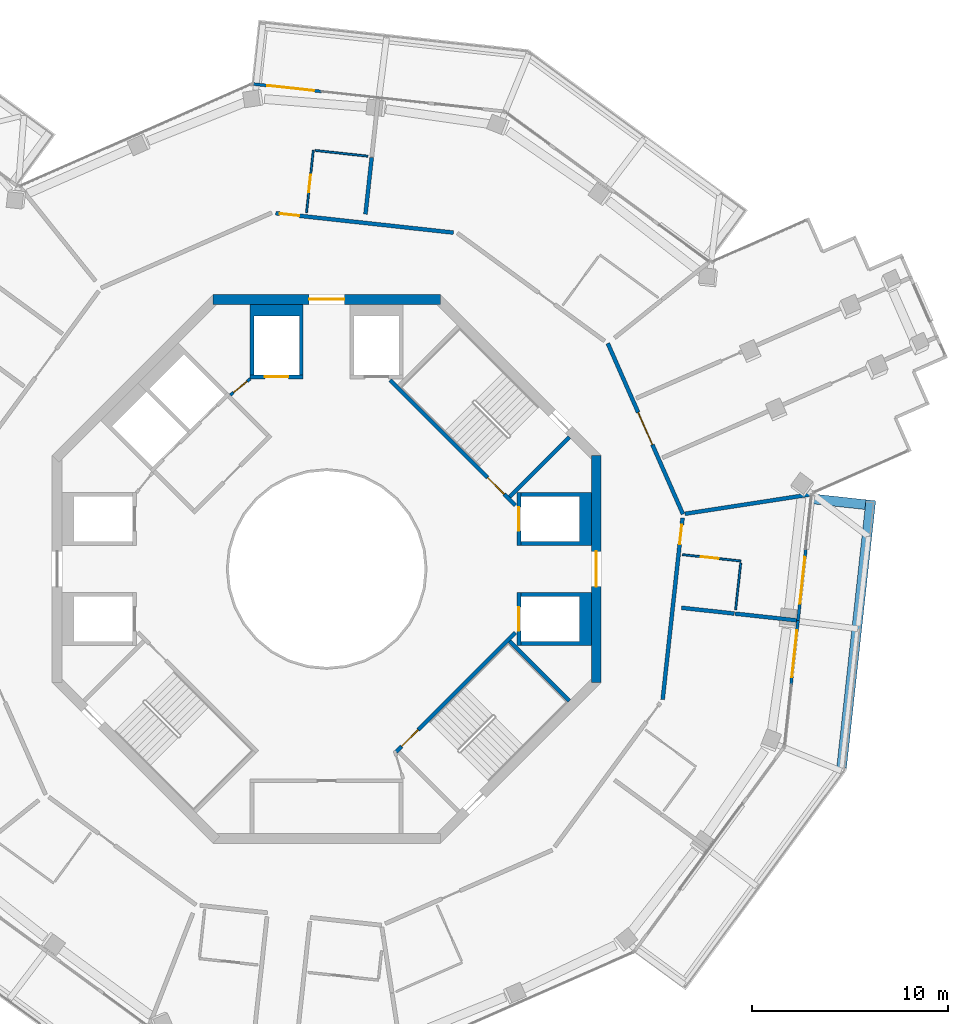
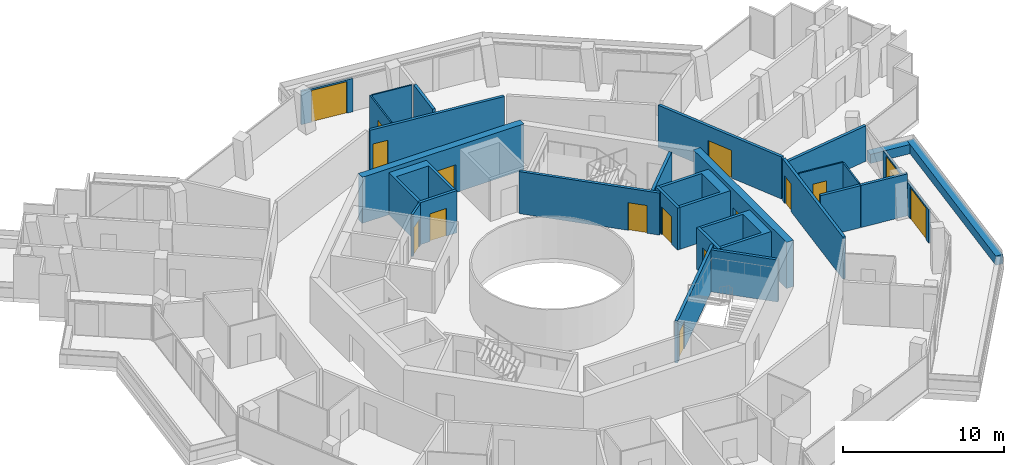
# One storey, part 18 of 22: 29 walls, 16 doors, 16 openings.
"""IFC4 building model written with IfcOpenShell, lengths in metres."""

from ifc_helpers import new_model, si_unit, direction, frame, frame_2d, origin, place, context, subcontext, project, spatial, polyline, rectangle, outline, extrude, material, layer, layer_set, type_object, element, fill, save


model = new_model("IFC4")

# Units and contexts
model_context = context("Model", 3, precision=1e-05, world=origin(), true_north=direction((0.0, 1.0)))
body_context = subcontext(model_context, "Body", "Model", "MODEL_VIEW")
ifc_project = project(units=[si_unit("LENGTHUNIT", "METRE"), si_unit("AREAUNIT", "SQUARE_METRE"), si_unit("VOLUMEUNIT", "CUBIC_METRE"), si_unit("PLANEANGLEUNIT", "RADIAN"), si_unit("MASSUNIT", "GRAM", prefix="KILO")], contexts=[model_context])

# Site, building, storey
site_placement = place(None, origin())
site = spatial("IfcSite", under=ifc_project, at=site_placement, CompositionType="ELEMENT")
building_placement = place(site_placement, origin())
building = spatial("IfcBuilding", under=site, at=building_placement, Name="Verdalira Terraces Hotel", CompositionType="ELEMENT")
storey_placement = place(building_placement, frame((0.0, 0.0, 252.5)))
storey = spatial("IfcBuildingStorey", under=building, at=storey_placement, Name="L62", CompositionType="ELEMENT", Elevation=252.5)

# Walls
ifc_material_1 = material(Name="Concrete C40", Category="concrete")
ifc_layer_1 = layer(ifc_material_1, 0.5)
ifc_layer_set_1 = layer_set([ifc_layer_1], Name="Balcony planter trough with tree")
wall_type_1 = type_object("IfcWallType", Name="Balcony planter trough with tree", PredefinedType="SOLIDWALL", material=ifc_layer_set_1)
wall_1_placement = place(storey_placement, frame((26.261963, -10.137939, 0.0), z_axis=(0.0, 0.0, 1.0), x_axis=(0.108697475, 0.994074876, 0.0)))
element("IfcWall", 1, at=wall_1_placement, inside=storey, type_object=wall_type_1, Name="Balcony planter", PredefinedType="SOLIDWALL", context=body_context, shape_type="SweptSolid", body=[
    extrude(rectangle(XDim=13.723389, YDim=0.5, at=frame_2d((6.861816, 0.0))), origin(), (0.0, 0.0, 1.0), 0.699951),
])
wall_2_placement = place(storey_placement, frame((27.478027, 3.282715, 0.0), z_axis=(0.0, 0.0, 1.0), x_axis=(-0.994071997, 0.108723798, 0.0)))
element("IfcWall", 2, at=wall_2_placement, inside=storey, type_object=wall_type_1, Name="Balcony planter", PredefinedType="SOLIDWALL", context=body_context, shape_type="SweptSolid", body=[
    extrude(rectangle(XDim=2.699219, YDim=0.5, at=frame_2d((1.349609, 0.0))), origin(), (0.0, 0.0, 1.0), 0.699951),
])

# Wall, opening, door
ifc_material_2 = material(Name="Moisture-resistant gypsum board partition")
ifc_layer_2 = layer(ifc_material_2, 0.10009765625)
ifc_layer_set_2 = layer_set([ifc_layer_2], Name="Bathroom partition 100 mm")
wall_type_2 = type_object("IfcWallType", Name="Bathroom partition 100 mm", PredefinedType="PARTITIONING", material=ifc_layer_set_2)
wall_3_placement = place(storey_placement, frame((-0.682617, 21.359131, 0.0), z_axis=(0.0, 0.0, 1.0), x_axis=(-0.108639421, -0.994081222, 0.0)))
wall_3 = element("IfcWall", 3, at=wall_3_placement, inside=storey, type_object=wall_type_2, Name="Bathroom partition", PredefinedType="PARTITIONING", context=body_context, shape_type="SweptSolid", body=[
    extrude(rectangle(XDim=3.200195, YDim=0.100098, at=frame_2d((1.600098, 0.0))), origin(), (0.0, 0.0, 1.0), 3.189941),
])
opening_1_placement = place(wall_3_placement, frame((1.25, 0.0, 0.0)))
opening_1 = element("IfcOpeningElement", 4, at=opening_1_placement, cuts=wall_3, Name="Opening L62-126", PredefinedType="OPENING", context=body_context, shape_type="SweptSolid", body=[
    extrude(rectangle(XDim=0.899902, YDim=2.100098, at=frame_2d((0.449951, 1.050049))), frame((0.0, 0.060059, 0.0), z_axis=(0.0, -1.0, 0.0), x_axis=(1.0, 0.0, 0.0)), (0.0, 0.0, 1.0), 0.120117),
])
ifc_material_3 = material(Name="Timber door", Category="wood")
door_type_1 = type_object("IfcDoorType", Name="Bathroom door 900 x 2100", OperationType="NOTDEFINED", PredefinedType="DOOR", material=ifc_material_3)
door_1_placement = place(opening_1_placement, origin())
door_1 = element("IfcDoor", 5, at=door_1_placement, inside=storey, type_object=door_type_1, Name="Bathroom door 6212", OperationType="SINGLE_SWING_LEFT", OverallHeight=2.10009765625, OverallWidth=0.89990234375, PredefinedType="DOOR", context=body_context, shape_type="SweptSolid", body=[
    extrude(rectangle(XDim=0.899902, YDim=2.100098, at=frame_2d((0.449951, 1.050049))), frame((0.0, 0.024902, 0.0), z_axis=(0.0, -1.0, 0.0), x_axis=(1.0, 0.0, 0.0)), (0.0, 0.0, 1.0), 0.050049),
])
fill(opening_1, door_1)

# Wall
wall_4_placement = place(storey_placement, frame((-0.583008, 21.348145, 0.0), z_axis=(0.0, 0.0, 1.0), x_axis=(0.994076272, -0.108684708, 0.0)))
element("IfcWall", 6, at=wall_4_placement, inside=storey, type_object=wall_type_2, Name="Bathroom partition", PredefinedType="PARTITIONING", context=body_context, shape_type="SweptSolid", body=[
    extrude(rectangle(XDim=2.700195, YDim=0.100098, at=frame_2d((1.350098, 0.0))), origin(), (0.0, 0.0, 1.0), 3.189941),
])

# Wall, opening, door
wall_5_placement = place(storey_placement, frame((21.127686, 0.406006, 0.0), z_axis=(0.0, 0.0, 1.0), x_axis=(-0.994071829, 0.108725335, 0.0)))
wall_5 = element("IfcWall", 7, at=wall_5_placement, inside=storey, type_object=wall_type_2, Name="Bathroom partition", PredefinedType="PARTITIONING", context=body_context, shape_type="SweptSolid", body=[
    extrude(rectangle(XDim=3.0, YDim=0.100098, at=frame_2d((1.5, 0.0))), origin(), (0.0, 0.0, 1.0), 3.189941),
])
opening_2_placement = place(wall_5_placement, frame((1.149902, 0.0, 0.0)))
opening_2 = element("IfcOpeningElement", 8, at=opening_2_placement, cuts=wall_5, Name="Opening L62-119", PredefinedType="OPENING", context=body_context, shape_type="SweptSolid", body=[
    extrude(rectangle(XDim=0.899902, YDim=2.100098, at=frame_2d((0.449951, 1.050049))), frame((0.0, 0.060059, 0.0), z_axis=(0.0, -1.0, 0.0), x_axis=(1.0, 0.0, 0.0)), (0.0, 0.0, 1.0), 0.120117),
])
door_2_placement = place(opening_2_placement, origin())
door_2 = element("IfcDoor", 9, at=door_2_placement, inside=storey, type_object=door_type_1, Name="Bathroom door 6209", OperationType="SINGLE_SWING_LEFT", OverallHeight=2.10009765625, OverallWidth=0.89990234375, PredefinedType="DOOR", context=body_context, shape_type="SweptSolid", body=[
    extrude(rectangle(XDim=0.899902, YDim=2.100098, at=frame_2d((0.449951, 1.050049))), frame((0.0, 0.024902, 0.0), z_axis=(0.0, -1.0, 0.0), x_axis=(1.0, 0.0, 0.0)), (0.0, 0.0, 1.0), 0.050049),
])
fill(opening_2, door_2)

# Walls
wall_6_placement = place(storey_placement, frame((21.116699, 0.306641, 0.0), z_axis=(0.0, 0.0, 1.0), x_axis=(-0.108644914, -0.994080622, 0.0)))
element("IfcWall", 10, at=wall_6_placement, inside=storey, type_object=wall_type_2, Name="Bathroom partition", PredefinedType="PARTITIONING", context=body_context, shape_type="SweptSolid", body=[
    extrude(rectangle(XDim=2.399902, YDim=0.100098, at=frame_2d((1.199951, 0.0))), origin(), (0.0, 0.0, 1.0), 3.189941),
])
ifc_material_4 = material(Name="Concrete C50", Category="concrete")
ifc_layer_3 = layer(ifc_material_4, 0.199951171875)
ifc_layer_set_3 = layer_set([ifc_layer_3], Name="Core RC wall 200 C50")
wall_type_3 = type_object("IfcWallType", Name="Core RC wall 200 C50", PredefinedType="SOLIDWALL", material=ifc_layer_set_3)
wall_7_placement = place(storey_placement, origin())
element("IfcWall", 11, at=wall_7_placement, inside=storey, type_object=wall_type_3, Name="L62 shaft wall E1", PredefinedType="SOLIDWALL", context=body_context, shape_type="SweptSolid", body=[
    extrude(outline(polyline([(13.5, -3.899902), (9.899902, -3.899902), (9.899902, -3.699951), (12.899902, -3.699951), (12.899902, -1.399902), (9.899902, -1.399902), (9.899902, -1.199951), (13.5, -1.199951), (13.5, -3.899902)])), origin(), (0.0, 0.0, 1.0), 3.189941),
])

# Wall, opening, door
wall_8_placement = place(storey_placement, frame((9.800049, -1.199951, 0.0), z_axis=(0.0, 0.0, 1.0), x_axis=(0.0, -1.0, 0.0)))
wall_8 = element("IfcWall", 12, at=wall_8_placement, inside=storey, type_object=wall_type_3, Name="L62 shaft front wall E1", PredefinedType="SOLIDWALL", context=body_context, shape_type="SweptSolid", body=[
    extrude(rectangle(XDim=2.699951, YDim=0.199951, at=frame_2d((1.350098, 0.0))), origin(), (0.0, 0.0, 1.0), 3.189941),
])
opening_3_placement = place(wall_8_placement, frame((0.75, 0.0, 0.0)))
opening_3 = element("IfcOpeningElement", 13, at=opening_3_placement, cuts=wall_8, Name="Opening LD-L62-802", PredefinedType="OPENING", context=body_context, shape_type="SweptSolid", body=[
    extrude(rectangle(XDim=1.199951, YDim=2.100098, at=frame_2d((0.600098, 1.050049))), frame((0.0, 0.109863, 0.0), z_axis=(0.0, -1.0, 0.0), x_axis=(1.0, 0.0, 0.0)), (0.0, 0.0, 1.0), 0.219971),
])
ifc_material_5 = material(Name="Stainless steel", Category="steel")
door_type_2 = type_object("IfcDoorType", Name="Landing door 1200 x 2100", OperationType="NOTDEFINED", PredefinedType="DOOR", material=ifc_material_5)
door_3_placement = place(opening_3_placement, origin())
door_3 = element("IfcDoor", 14, at=door_3_placement, inside=storey, type_object=door_type_2, Name="Lift landing door HR1 L62", OperationType="DOUBLE_DOOR_SLIDING", OverallHeight=2.10009765625, OverallWidth=1.199951171875, PredefinedType="DOOR", context=body_context, shape_type="SweptSolid", body=[
    extrude(rectangle(XDim=1.199951, YDim=2.100098, at=frame_2d((0.600098, 1.050049))), frame((0.0, 0.024902, 0.0), z_axis=(0.0, -1.0, 0.0), x_axis=(1.0, 0.0, 0.0)), (0.0, 0.0, 1.0), 0.050049),
])
fill(opening_3, door_3)

# Wall
wall_9_placement = place(storey_placement, origin())
element("IfcWall", 15, at=wall_9_placement, inside=storey, type_object=wall_type_3, Name="L62 shaft wall E2", PredefinedType="SOLIDWALL", context=body_context, shape_type="SweptSolid", body=[
    extrude(outline(polyline([(13.5, 3.899902), (13.5, 1.199951), (9.899902, 1.199951), (9.899902, 1.399902), (12.899902, 1.399902), (12.899902, 3.699951), (9.899902, 3.699951), (9.899902, 3.899902), (13.5, 3.899902)])), origin(), (0.0, 0.0, 1.0), 3.189941),
])

# Wall, opening, door
wall_10_placement = place(storey_placement, frame((9.800049, 1.199951, 0.0), z_axis=(0.0, 0.0, 1.0), x_axis=(0.0, 1.0, 0.0)))
wall_10 = element("IfcWall", 16, at=wall_10_placement, inside=storey, type_object=wall_type_3, Name="L62 shaft front wall E2", PredefinedType="SOLIDWALL", context=body_context, shape_type="SweptSolid", body=[
    extrude(rectangle(XDim=2.699951, YDim=0.199951, at=frame_2d((1.350098, 0.0))), origin(), (0.0, 0.0, 1.0), 3.189941),
])
opening_4_placement = place(wall_10_placement, frame((0.75, 0.0, 0.0)))
opening_4 = element("IfcOpeningElement", 17, at=opening_4_placement, cuts=wall_10, Name="Opening LD-L62-803", PredefinedType="OPENING", context=body_context, shape_type="SweptSolid", body=[
    extrude(rectangle(XDim=1.199951, YDim=2.100098, at=frame_2d((0.600098, 1.050049))), frame((0.0, 0.109863, 0.0), z_axis=(0.0, -1.0, 0.0), x_axis=(1.0, 0.0, 0.0)), (0.0, 0.0, 1.0), 0.219971),
])
door_4_placement = place(opening_4_placement, origin())
door_4 = element("IfcDoor", 18, at=door_4_placement, inside=storey, type_object=door_type_2, Name="Lift landing door HR2 L62", OperationType="DOUBLE_DOOR_SLIDING", OverallHeight=2.10009765625, OverallWidth=1.199951171875, PredefinedType="DOOR", context=body_context, shape_type="SweptSolid", body=[
    extrude(rectangle(XDim=1.199951, YDim=2.100098, at=frame_2d((0.600098, 1.050049))), frame((0.0, 0.024902, 0.0), z_axis=(0.0, -1.0, 0.0), x_axis=(1.0, 0.0, 0.0)), (0.0, 0.0, 1.0), 0.050049),
])
fill(opening_4, door_4)

# Wall
wall_11_placement = place(storey_placement, origin())
element("IfcWall", 19, at=wall_11_placement, inside=storey, type_object=wall_type_3, Name="L62 shaft wall N2", PredefinedType="SOLIDWALL", context=body_context, shape_type="SweptSolid", body=[
    extrude(outline(polyline([(-3.899902, 13.5), (-1.199951, 13.5), (-1.199951, 9.899902), (-1.399902, 9.899902), (-1.399902, 12.899902), (-3.699951, 12.899902), (-3.699951, 9.899902), (-3.899902, 9.899902), (-3.899902, 13.5)])), origin(), (0.0, 0.0, 1.0), 3.189941),
])

# Wall, opening, door
wall_12_placement = place(storey_placement, frame((-1.199951, 9.800049, 0.0), z_axis=(0.0, 0.0, 1.0), x_axis=(-1.0, 0.0, 0.0)))
wall_12 = element("IfcWall", 20, at=wall_12_placement, inside=storey, type_object=wall_type_3, Name="L62 shaft front wall N2", PredefinedType="SOLIDWALL", context=body_context, shape_type="SweptSolid", body=[
    extrude(rectangle(XDim=2.699951, YDim=0.199951, at=frame_2d((1.350098, 0.0))), origin(), (0.0, 0.0, 1.0), 3.189941),
])
opening_5_placement = place(wall_12_placement, frame((0.75, 0.0, 0.0)))
opening_5 = element("IfcOpeningElement", 21, at=opening_5_placement, cuts=wall_12, Name="Opening LD-L62-805", PredefinedType="OPENING", context=body_context, shape_type="SweptSolid", body=[
    extrude(rectangle(XDim=1.199951, YDim=2.100098, at=frame_2d((0.600098, 1.050049))), frame((0.0, 0.109863, 0.0), z_axis=(0.0, -1.0, 0.0), x_axis=(1.0, 0.0, 0.0)), (0.0, 0.0, 1.0), 0.219971),
])
door_5_placement = place(opening_5_placement, origin())
door_5 = element("IfcDoor", 22, at=door_5_placement, inside=storey, type_object=door_type_2, Name="Lift landing door HR4 L62", OperationType="DOUBLE_DOOR_SLIDING", OverallHeight=2.10009765625, OverallWidth=1.199951171875, PredefinedType="DOOR", context=body_context, shape_type="SweptSolid", body=[
    extrude(rectangle(XDim=1.199951, YDim=2.100098, at=frame_2d((0.600098, 1.050049))), frame((0.0, 0.024902, 0.0), z_axis=(0.0, -1.0, 0.0), x_axis=(1.0, 0.0, 0.0)), (0.0, 0.0, 1.0), 0.050049),
])
fill(opening_5, door_5)

wall_13_placement = place(storey_placement, frame((3.23999, 9.629395, 0.0), z_axis=(0.0, 0.0, 1.0), x_axis=(0.707106781, -0.707106781, 0.0)))
wall_13 = element("IfcWall", 23, at=wall_13_placement, inside=storey, type_object=wall_type_3, Name="L62 stair ST1 front wall", PredefinedType="SOLIDWALL", context=body_context, shape_type="SweptSolid", body=[
    extrude(rectangle(XDim=9.035889, YDim=0.199951, at=frame_2d((4.518066, 0.0))), origin(), (0.0, 0.0, 1.0), 3.189941),
])
opening_6_placement = place(wall_13_placement, frame((7.017822, 0.0, 0.0)))
opening_6 = element("IfcOpeningElement", 24, at=opening_6_placement, cuts=wall_13, Name="Opening L62-810", PredefinedType="OPENING", context=body_context, shape_type="SweptSolid", body=[
    extrude(rectangle(XDim=1.199951, YDim=2.100098, at=frame_2d((0.600098, 1.050049))), frame((0.0, 0.109863, 0.0), z_axis=(0.0, -1.0, 0.0), x_axis=(1.0, 0.0, 0.0)), (0.0, 0.0, 1.0), 0.219971),
])
ifc_material_6 = material(Name="Steel fire door", Category="steel")
door_type_3 = type_object("IfcDoorType", Name="Stair door 1200 x 2100", OperationType="NOTDEFINED", PredefinedType="DOOR", material=ifc_material_6)
door_6_placement = place(opening_6_placement, origin())
door_6 = element("IfcDoor", 25, at=door_6_placement, inside=storey, type_object=door_type_3, Name="Stair door ST1 L62", OperationType="SINGLE_SWING_RIGHT", OverallHeight=2.10009765625, OverallWidth=1.199951171875, PredefinedType="DOOR", context=body_context, shape_type="SweptSolid", body=[
    extrude(rectangle(XDim=1.199951, YDim=2.100098, at=frame_2d((0.600098, 1.050049))), frame((0.0, 0.024902, 0.0), z_axis=(0.0, -1.0, 0.0), x_axis=(1.0, 0.0, 0.0)), (0.0, 0.0, 1.0), 0.050049),
])
fill(opening_6, door_6)

# Wall
wall_14_placement = place(storey_placement, frame((9.33374, 3.677002, 0.0), z_axis=(0.0, 0.0, 1.0), x_axis=(0.707135168, 0.707078393, 0.0)))
element("IfcWall", 26, at=wall_14_placement, inside=storey, type_object=wall_type_3, Name="L62 stair ST1 end wall 1", PredefinedType="SOLIDWALL", context=body_context, shape_type="SweptSolid", body=[
    extrude(rectangle(XDim=4.300049, YDim=0.199951, at=frame_2d((2.149902, 0.0))), origin(), (0.0, 0.0, 1.0), 3.189941),
])

# Wall, opening, door
wall_15_placement = place(storey_placement, frame((9.629395, -3.23999, 0.0), z_axis=(0.0, 0.0, 1.0), x_axis=(-0.707120946, -0.707092617, 0.0)))
wall_15 = element("IfcWall", 27, at=wall_15_placement, inside=storey, type_object=wall_type_3, Name="L62 stair ST3 front wall", PredefinedType="SOLIDWALL", context=body_context, shape_type="SweptSolid", body=[
    extrude(rectangle(XDim=8.61792, YDim=0.199951, at=frame_2d((4.309082, 0.0))), origin(), (0.0, 0.0, 1.0), 3.189941),
])
opening_7_placement = place(wall_15_placement, frame((7.017822, 0.0, 0.0)))
opening_7 = element("IfcOpeningElement", 28, at=opening_7_placement, cuts=wall_15, Name="Opening L62-812", PredefinedType="OPENING", context=body_context, shape_type="SweptSolid", body=[
    extrude(rectangle(XDim=1.199951, YDim=2.100098, at=frame_2d((0.600098, 1.050049))), frame((0.0, 0.109863, 0.0), z_axis=(0.0, -1.0, 0.0), x_axis=(1.0, 0.0, 0.0)), (0.0, 0.0, 1.0), 0.219971),
])
door_7_placement = place(opening_7_placement, origin())
door_7 = element("IfcDoor", 29, at=door_7_placement, inside=storey, type_object=door_type_3, Name="Stair door ST3 L62", OperationType="SINGLE_SWING_RIGHT", OverallHeight=2.10009765625, OverallWidth=1.199951171875, PredefinedType="DOOR", context=body_context, shape_type="SweptSolid", body=[
    extrude(rectangle(XDim=1.199951, YDim=2.100098, at=frame_2d((0.600098, 1.050049))), frame((0.0, 0.024902, 0.0), z_axis=(0.0, -1.0, 0.0), x_axis=(1.0, 0.0, 0.0)), (0.0, 0.0, 1.0), 0.050049),
])
fill(opening_7, door_7)

# Wall
wall_16_placement = place(storey_placement, frame((9.33374, -3.677002, 0.0), z_axis=(0.0, 0.0, 1.0), x_axis=(0.707135168, -0.707078393, 0.0)))
element("IfcWall", 30, at=wall_16_placement, inside=storey, type_object=wall_type_3, Name="L62 stair ST3 end wall 2", PredefinedType="SOLIDWALL", context=body_context, shape_type="SweptSolid", body=[
    extrude(rectangle(XDim=4.300049, YDim=0.199951, at=frame_2d((2.149902, 0.0))), origin(), (0.0, 0.0, 1.0), 3.189941),
])

# Wall, opening, door
ifc_material_7 = material(Name="Gypsum board partition")
ifc_layer_4 = layer(ifc_material_7, 0.14990234375)
ifc_layer_set_4 = layer_set([ifc_layer_4], Name="Core partition 150 mm")
wall_type_4 = type_object("IfcWallType", Name="Core partition 150 mm", PredefinedType="PARTITIONING", material=ifc_layer_set_4)
wall_17_placement = place(storey_placement, frame((-3.899902, 9.699951, 0.0), z_axis=(0.0, 0.0, 1.0), x_axis=(-0.775559878, -0.631274009, 0.0)))
wall_17 = element("IfcWall", 31, at=wall_17_placement, inside=storey, type_object=wall_type_4, Name="Room partition L62", PredefinedType="PARTITIONING", context=body_context, shape_type="SweptSolid", body=[
    extrude(rectangle(XDim=1.307861, YDim=0.149902, at=frame_2d((0.653809, 0.0))), origin(), (0.0, 0.0, 1.0), 3.189941),
])
opening_8_placement = place(wall_17_placement, frame((0.204102, 0.0, 0.0)))
opening_8 = element("IfcOpeningElement", 32, at=opening_8_placement, cuts=wall_17, Name="Opening L62-820", PredefinedType="OPENING", context=body_context, shape_type="SweptSolid", body=[
    extrude(rectangle(XDim=0.899902, YDim=2.100098, at=frame_2d((0.449951, 1.050049))), frame((0.0, 0.084961, 0.0), z_axis=(0.0, -1.0, 0.0), x_axis=(1.0, 0.0, 0.0)), (0.0, 0.0, 1.0), 0.169922),
])
ifc_material_8 = material(Name="Steel fire door", Category="steel")
door_type_4 = type_object("IfcDoorType", Name="Core room door 900 x 2100", OperationType="NOTDEFINED", PredefinedType="DOOR", material=ifc_material_8)
door_8_placement = place(opening_8_placement, origin())
door_8 = element("IfcDoor", 33, at=door_8_placement, inside=storey, type_object=door_type_4, Name="Door L62 room2", OperationType="SINGLE_SWING_LEFT", OverallHeight=2.10009765625, OverallWidth=0.89990234375, PredefinedType="DOOR", context=body_context, shape_type="SweptSolid", body=[
    extrude(rectangle(XDim=0.899902, YDim=2.100098, at=frame_2d((0.449951, 1.050049))), frame((0.0, 0.024902, 0.0), z_axis=(0.0, -1.0, 0.0), x_axis=(1.0, 0.0, 0.0)), (0.0, 0.0, 1.0), 0.050049),
])
fill(opening_8, door_8)

ifc_material_9 = material(Name="Concrete C50", Category="concrete")
ifc_layer_5 = layer(ifc_material_9, 0.5)
ifc_layer_set_5 = layer_set([ifc_layer_5], Name="Core wall 500 C50")
wall_type_5 = type_object("IfcWallType", Name="Core wall 500 C50", PredefinedType="SHEAR", material=ifc_layer_set_5)
wall_18_placement = place(storey_placement, frame((13.75, -5.799072, 0.0), z_axis=(0.0, 0.0, 1.0), x_axis=(0.0, 1.0, 0.0)))
wall_18 = element("IfcWall", 34, at=wall_18_placement, inside=storey, type_object=wall_type_5, Name="Core wall CW-L62-1", PredefinedType="SHEAR", context=body_context, shape_type="SweptSolid", body=[
    extrude(rectangle(XDim=11.598145, YDim=0.5, at=frame_2d((5.799072, 0.0))), origin(), (0.0, 0.0, 1.0), 3.5),
])
opening_9_placement = place(wall_18_placement, frame((4.898926, 0.0, 0.0)))
opening_9 = element("IfcOpeningElement", 35, at=opening_9_placement, cuts=wall_18, Name="Opening L62-813", PredefinedType="OPENING", context=body_context, shape_type="SweptSolid", body=[
    extrude(rectangle(XDim=1.800049, YDim=2.100098, at=frame_2d((0.899902, 1.050049))), frame((0.0, 0.26001, 0.0), z_axis=(0.0, -1.0, 0.0), x_axis=(1.0, 0.0, 0.0)), (0.0, 0.0, 1.0), 0.52002),
])
ifc_material_10 = material(Name="Steel fire door", Category="steel")
door_type_5 = type_object("IfcDoorType", Name="Core entry door pair 1800 x 2100", OperationType="NOTDEFINED", PredefinedType="DOOR", material=ifc_material_10)
door_9_placement = place(opening_9_placement, origin())
door_9 = element("IfcDoor", 36, at=door_9_placement, inside=storey, type_object=door_type_5, Name="Core entry door L62 0", OperationType="DOUBLE_DOOR_SINGLE_SWING", OverallHeight=2.10009765625, OverallWidth=1.800048828125, PredefinedType="DOOR", context=body_context, shape_type="SweptSolid", body=[
    extrude(rectangle(XDim=1.800049, YDim=2.100098, at=frame_2d((0.899902, 1.050049))), frame((0.0, 0.024902, 0.0), z_axis=(0.0, -1.0, 0.0), x_axis=(1.0, 0.0, 0.0)), (0.0, 0.0, 1.0), 0.050049),
])
fill(opening_9, door_9)

wall_19_placement = place(storey_placement, frame((5.799072, 13.75, 0.0), z_axis=(0.0, 0.0, 1.0), x_axis=(-1.0, 0.0, 0.0)))
wall_19 = element("IfcWall", 37, at=wall_19_placement, inside=storey, type_object=wall_type_5, Name="Core wall CW-L62-3", PredefinedType="SHEAR", context=body_context, shape_type="SweptSolid", body=[
    extrude(rectangle(XDim=11.598145, YDim=0.5, at=frame_2d((5.799072, 0.0))), origin(), (0.0, 0.0, 1.0), 3.5),
])
opening_10_placement = place(wall_19_placement, frame((4.898926, 0.0, 0.0)))
opening_10 = element("IfcOpeningElement", 38, at=opening_10_placement, cuts=wall_19, Name="Opening L62-814", PredefinedType="OPENING", context=body_context, shape_type="SweptSolid", body=[
    extrude(rectangle(XDim=1.800049, YDim=2.100098, at=frame_2d((0.899902, 1.050049))), frame((0.0, 0.26001, 0.0), z_axis=(0.0, -1.0, 0.0), x_axis=(1.0, 0.0, 0.0)), (0.0, 0.0, 1.0), 0.52002),
])
door_10_placement = place(opening_10_placement, origin())
door_10 = element("IfcDoor", 39, at=door_10_placement, inside=storey, type_object=door_type_5, Name="Core entry door L62 2", OperationType="DOUBLE_DOOR_SINGLE_SWING", OverallHeight=2.10009765625, OverallWidth=1.800048828125, PredefinedType="DOOR", context=body_context, shape_type="SweptSolid", body=[
    extrude(rectangle(XDim=1.800049, YDim=2.100098, at=frame_2d((0.899902, 1.050049))), frame((0.0, 0.024902, 0.0), z_axis=(0.0, -1.0, 0.0), x_axis=(1.0, 0.0, 0.0)), (0.0, 0.0, 1.0), 0.050049),
])
fill(opening_10, door_10)

# Walls
ifc_material_11 = material(Name="Fire-rated gypsum board wall")
ifc_layer_6 = layer(ifc_material_11, 0.199951171875)
ifc_layer_set_6 = layer_set([ifc_layer_6], Name="Demising wall 200 mm")
wall_type_6 = type_object("IfcWallType", Name="Demising wall 200 mm", PredefinedType="SOLIDWALL", material=ifc_layer_set_6)
wall_20_placement = place(storey_placement, frame((1.97876, 18.097656, 0.0), z_axis=(0.0, 0.0, 1.0), x_axis=(0.108752544, 0.994068853, 0.0)))
element("IfcWall", 40, at=wall_20_placement, inside=storey, type_object=wall_type_6, Name="Demising wall", PredefinedType="SOLIDWALL", context=body_context, shape_type="SweptSolid", body=[
    extrude(rectangle(XDim=2.905029, YDim=0.199951, at=frame_2d((1.452637, 0.0))), origin(), (0.0, 0.0, 1.0), 3.189941),
])
wall_21_placement = place(storey_placement, frame((18.097656, -1.97876, 0.0), z_axis=(0.0, 0.0, 1.0), x_axis=(0.994077026, -0.108677812, 0.0)))
element("IfcWall", 41, at=wall_21_placement, inside=storey, type_object=wall_type_6, Name="Demising wall", PredefinedType="SOLIDWALL", context=body_context, shape_type="SweptSolid", body=[
    extrude(rectangle(XDim=2.704834, YDim=0.199951, at=frame_2d((1.352539, 0.0))), origin(), (0.0, 0.0, 1.0), 3.189941),
])
wall_22_placement = place(storey_placement, frame((20.832275, -2.277832, 0.0), z_axis=(0.0, 0.0, 1.0), x_axis=(0.994076793, -0.108679945, 0.0)))
element("IfcWall", 42, at=wall_22_placement, inside=storey, type_object=wall_type_6, Name="Demising wall", PredefinedType="SOLIDWALL", context=body_context, shape_type="SweptSolid", body=[
    extrude(rectangle(XDim=3.151611, YDim=0.199951, at=frame_2d((1.575684, 0.0))), origin(), (0.0, 0.0, 1.0), 3.189941),
])
ifc_material_12 = material(Name="Fire-rated gypsum board wall")
ifc_layer_7 = layer(ifc_material_12, 0.199951171875)
ifc_layer_set_7 = layer_set([ifc_layer_7], Name="Demising wall 200 mm to beam soffit")
wall_type_7 = type_object("IfcWallType", Name="Demising wall 200 mm to beam soffit", PredefinedType="SOLIDWALL", material=ifc_layer_set_7)
wall_23_placement = place(storey_placement, frame((24.672852, 3.802002, 0.0), z_axis=(0.0, 0.0, 1.0), x_axis=(-0.988332438, -0.152312151, 0.0)))
element("IfcWall", 43, at=wall_23_placement, inside=storey, type_object=wall_type_7, Name="Demising wall", PredefinedType="SOLIDWALL", context=body_context, shape_type="SweptSolid", body=[
    extrude(rectangle(XDim=6.475586, YDim=0.199951, at=frame_2d((3.237793, 0.0))), origin(), (0.0, 0.0, 1.0), 2.689941),
])

# Wall, opening, door
ifc_material_13 = material(Name="Fire-rated gypsum board wall")
ifc_layer_8 = layer(ifc_material_13, 0.199951171875)
ifc_layer_set_8 = layer_set([ifc_layer_8], Name="Guest corridor wall 200 mm")
wall_type_8 = type_object("IfcWallType", Name="Guest corridor wall 200 mm", PredefinedType="SOLIDWALL", material=ifc_layer_set_8)
wall_24_placement = place(storey_placement, frame((-2.600586, 18.148438, 0.0), z_axis=(0.0, 0.0, 1.0), x_axis=(0.994076214, -0.108685238, 0.0)))
wall_24 = element("IfcWall", 44, at=wall_24_placement, inside=storey, type_object=wall_type_8, Name="Guest corridor wall", PredefinedType="SOLIDWALL", context=body_context, shape_type="SweptSolid", body=[
    extrude(rectangle(XDim=9.115479, YDim=0.199951, at=frame_2d((4.557617, 0.0))), origin(), (0.0, 0.0, 1.0), 3.189941),
])
opening_11_placement = place(wall_24_placement, frame((0.199951, 0.0, 0.0)))
opening_11 = element("IfcOpeningElement", 45, at=opening_11_placement, cuts=wall_24, Name="Opening L62-125", PredefinedType="OPENING", context=body_context, shape_type="SweptSolid", body=[
    extrude(rectangle(XDim=1.0, YDim=2.100098, at=frame_2d((0.5, 1.050049))), frame((0.0, 0.109863, 0.0), z_axis=(0.0, -1.0, 0.0), x_axis=(1.0, 0.0, 0.0)), (0.0, 0.0, 1.0), 0.219971),
])
ifc_material_14 = material(Name="Timber fire door", Category="wood")
door_type_6 = type_object("IfcDoorType", Name="Guest entry door 1000 x 2100", OperationType="NOTDEFINED", PredefinedType="DOOR", material=ifc_material_14)
door_11_placement = place(opening_11_placement, origin())
door_11 = element("IfcDoor", 46, at=door_11_placement, inside=storey, type_object=door_type_6, Name="Guest entry door 6212", OperationType="SINGLE_SWING_LEFT", OverallHeight=2.10009765625, OverallWidth=1.0, PredefinedType="DOOR", context=body_context, shape_type="SweptSolid", body=[
    extrude(rectangle(XDim=1.0, YDim=2.100098, at=frame_2d((0.5, 1.050049))), frame((0.0, 0.024902, 0.0), z_axis=(0.0, -1.0, 0.0), x_axis=(1.0, 0.0, 0.0)), (0.0, 0.0, 1.0), 0.050049),
])
fill(opening_11, door_11)

wall_25_placement = place(storey_placement, frame((14.335938, 11.51001, 0.0), z_axis=(0.0, 0.0, 1.0), x_axis=(0.402913126, -0.915238227, 0.0)))
wall_25 = element("IfcWall", 47, at=wall_25_placement, inside=storey, type_object=wall_type_8, Name="Guest corridor wall", PredefinedType="SOLIDWALL", context=body_context, shape_type="SweptSolid", body=[
    extrude(rectangle(XDim=9.516846, YDim=0.199951, at=frame_2d((4.758301, 0.0))), origin(), (0.0, 0.0, 1.0), 3.189941),
])
opening_12_placement = place(wall_25_placement, frame((3.850342, 0.0, 0.0)))
opening_12 = element("IfcOpeningElement", 48, at=opening_12_placement, cuts=wall_25, Name="Opening L62-120", PredefinedType="OPENING", context=body_context, shape_type="SweptSolid", body=[
    extrude(rectangle(XDim=1.800049, YDim=2.100098, at=frame_2d((0.899902, 1.050049))), frame((0.0, 0.109863, 0.0), z_axis=(0.0, -1.0, 0.0), x_axis=(1.0, 0.0, 0.0)), (0.0, 0.0, 1.0), 0.219971),
])
ifc_material_15 = material(Name="Timber fire door", Category="wood")
door_type_7 = type_object("IfcDoorType", Name="Public room double door 1800 x 2100", OperationType="NOTDEFINED", PredefinedType="DOOR", material=ifc_material_15)
door_12_placement = place(opening_12_placement, origin())
door_12 = element("IfcDoor", 49, at=door_12_placement, inside=storey, type_object=door_type_7, Name="Public room double door 6210", OperationType="DOUBLE_DOOR_SINGLE_SWING", OverallHeight=2.10009765625, OverallWidth=1.800048828125, PredefinedType="DOOR", context=body_context, shape_type="SweptSolid", body=[
    extrude(rectangle(XDim=1.800049, YDim=2.100098, at=frame_2d((0.899902, 1.050049))), frame((0.0, 0.024902, 0.0), z_axis=(0.0, -1.0, 0.0), x_axis=(1.0, 0.0, 0.0)), (0.0, 0.0, 1.0), 0.050049),
])
fill(opening_12, door_12)

wall_26_placement = place(storey_placement, frame((18.148682, 2.601074, 0.0), z_axis=(0.0, 0.0, 1.0), x_axis=(-0.108702718, -0.994074303, 0.0)))
wall_26 = element("IfcWall", 50, at=wall_26_placement, inside=storey, type_object=wall_type_8, Name="Guest corridor wall", PredefinedType="SOLIDWALL", context=body_context, shape_type="SweptSolid", body=[
    extrude(rectangle(XDim=9.316162, YDim=0.199951, at=frame_2d((4.658203, 0.0))), origin(), (0.0, 0.0, 1.0), 3.189941),
])
opening_13_placement = place(wall_26_placement, frame((0.350098, 0.0, 0.0)))
opening_13 = element("IfcOpeningElement", 51, at=opening_13_placement, cuts=wall_26, Name="Opening L62-118", PredefinedType="OPENING", context=body_context, shape_type="SweptSolid", body=[
    extrude(rectangle(XDim=1.0, YDim=2.100098, at=frame_2d((0.5, 1.050049))), frame((0.0, 0.109863, 0.0), z_axis=(0.0, -1.0, 0.0), x_axis=(1.0, 0.0, 0.0)), (0.0, 0.0, 1.0), 0.219971),
])
door_13_placement = place(opening_13_placement, origin())
door_13 = element("IfcDoor", 52, at=door_13_placement, inside=storey, type_object=door_type_6, Name="Guest entry door 6209", OperationType="SINGLE_SWING_LEFT", OverallHeight=2.10009765625, OverallWidth=1.0, PredefinedType="DOOR", context=body_context, shape_type="SweptSolid", body=[
    extrude(rectangle(XDim=1.0, YDim=2.100098, at=frame_2d((0.5, 1.050049))), frame((0.0, 0.024902, 0.0), z_axis=(0.0, -1.0, 0.0), x_axis=(1.0, 0.0, 0.0)), (0.0, 0.0, 1.0), 0.050049),
])
fill(opening_13, door_13)

ifc_material_16 = material(Name="Terracotta cladding", Category="masonry")
ifc_layer_9 = layer(ifc_material_16, 0.14990234375)
ifc_layer_set_9 = layer_set([ifc_layer_9], Name="Terracotta door pier 150")
wall_type_9 = type_object("IfcWallType", Name="Terracotta door pier 150", PredefinedType="SOLIDWALL", material=ifc_layer_set_9)
wall_27_placement = place(storey_placement, frame((23.681396, -5.908936, 0.0), z_axis=(0.0, 0.0, 1.0), x_axis=(0.108685466, 0.994076189, 0.0)))
wall_27 = element("IfcWall", 53, at=wall_27_placement, inside=storey, type_object=wall_type_9, Name="Terracotta door pier", PredefinedType="SOLIDWALL", context=body_context, shape_type="SweptSolid", body=[
    extrude(rectangle(XDim=3.299805, YDim=0.149902, at=frame_2d((1.649902, 0.0))), origin(), (0.0, 0.0, 1.0), 2.524902),
])
opening_14_placement = place(wall_27_placement, frame((0.399902, 0.0, 0.0)))
opening_14 = element("IfcOpeningElement", 54, at=opening_14_placement, cuts=wall_27, Name="Opening L62-B10", PredefinedType="OPENING", context=body_context, shape_type="SweptSolid", body=[
    extrude(rectangle(XDim=2.399902, YDim=2.399902, at=frame_2d((1.199951, 1.199951))), frame((0.0, 0.084961, 0.0), z_axis=(0.0, -1.0, 0.0), x_axis=(1.0, 0.0, 0.0)), (0.0, 0.0, 1.0), 0.169922),
])
ifc_material_17 = material(Name="Clear glass", Category="glass")
door_type_8 = type_object("IfcDoorType", Name="Balcony sliding door 2400x2400", OperationType="NOTDEFINED", PredefinedType="DOOR", material=ifc_material_17)
door_14_placement = place(opening_14_placement, origin())
door_14 = element("IfcDoor", 55, at=door_14_placement, inside=storey, type_object=door_type_8, Name="Balcony sliding door", OperationType="SLIDING_TO_RIGHT", OverallHeight=2.39990234375, OverallWidth=2.39990234375, PredefinedType="DOOR", context=body_context, shape_type="SweptSolid", body=[
    extrude(rectangle(XDim=2.399902, YDim=2.399902, at=frame_2d((1.199951, 1.199951))), frame((0.0, 0.024902, 0.0), z_axis=(0.0, -1.0, 0.0), x_axis=(1.0, 0.0, 0.0)), (0.0, 0.0, 1.0), 0.050049),
])
fill(opening_14, door_14)

wall_28_placement = place(storey_placement, frame((24.040039, -2.628662, 0.0), z_axis=(0.0, 0.0, 1.0), x_axis=(0.108689527, 0.994075745, 0.0)))
wall_28 = element("IfcWall", 56, at=wall_28_placement, inside=storey, type_object=wall_type_9, Name="Terracotta door pier", PredefinedType="SOLIDWALL", context=body_context, shape_type="SweptSolid", body=[
    extrude(rectangle(XDim=3.661377, YDim=0.149902, at=frame_2d((1.830566, 0.0))), origin(), (0.0, 0.0, 1.0), 2.524902),
])
opening_15_placement = place(wall_28_placement, frame((0.861328, 0.0, 0.0)))
opening_15 = element("IfcOpeningElement", 57, at=opening_15_placement, cuts=wall_28, Name="Opening L62-B11", PredefinedType="OPENING", context=body_context, shape_type="SweptSolid", body=[
    extrude(rectangle(XDim=2.399902, YDim=2.399902, at=frame_2d((1.199951, 1.199951))), frame((0.0, 0.084961, 0.0), z_axis=(0.0, -1.0, 0.0), x_axis=(1.0, 0.0, 0.0)), (0.0, 0.0, 1.0), 0.169922),
])
door_15_placement = place(opening_15_placement, origin())
door_15 = element("IfcDoor", 58, at=door_15_placement, inside=storey, type_object=door_type_8, Name="Balcony sliding door", OperationType="SLIDING_TO_LEFT", OverallHeight=2.39990234375, OverallWidth=2.39990234375, PredefinedType="DOOR", context=body_context, shape_type="SweptSolid", body=[
    extrude(rectangle(XDim=2.399902, YDim=2.399902, at=frame_2d((1.199951, 1.199951))), frame((0.0, 0.024902, 0.0), z_axis=(0.0, -1.0, 0.0), x_axis=(1.0, 0.0, 0.0)), (0.0, 0.0, 1.0), 0.050049),
])
fill(opening_15, door_15)

wall_29_placement = place(storey_placement, frame((-0.25, 24.354736, 0.0), z_axis=(0.0, 0.0, 1.0), x_axis=(-0.994075927, 0.108687864, 0.0)))
wall_29 = element("IfcWall", 59, at=wall_29_placement, inside=storey, type_object=wall_type_9, Name="Terracotta door pier", PredefinedType="SOLIDWALL", context=body_context, shape_type="SweptSolid", body=[
    extrude(rectangle(XDim=3.50415, YDim=0.149902, at=frame_2d((1.751953, 0.0))), origin(), (0.0, 0.0, 1.0), 2.524902),
])
opening_16_placement = place(wall_29_placement, frame((0.399902, 0.0, 0.0)))
opening_16 = element("IfcOpeningElement", 60, at=opening_16_placement, cuts=wall_29, Name="Opening L62-B15", PredefinedType="OPENING", context=body_context, shape_type="SweptSolid", body=[
    extrude(rectangle(XDim=2.399902, YDim=2.399902, at=frame_2d((1.199951, 1.199951))), frame((0.0, 0.084961, 0.0), z_axis=(0.0, -1.0, 0.0), x_axis=(1.0, 0.0, 0.0)), (0.0, 0.0, 1.0), 0.169922),
])
door_16_placement = place(opening_16_placement, origin())
door_16 = element("IfcDoor", 61, at=door_16_placement, inside=storey, type_object=door_type_8, Name="Balcony sliding door", OperationType="SLIDING_TO_RIGHT", OverallHeight=2.39990234375, OverallWidth=2.39990234375, PredefinedType="DOOR", context=body_context, shape_type="SweptSolid", body=[
    extrude(rectangle(XDim=2.399902, YDim=2.399902, at=frame_2d((1.199951, 1.199951))), frame((0.0, 0.024902, 0.0), z_axis=(0.0, -1.0, 0.0), x_axis=(1.0, 0.0, 0.0)), (0.0, 0.0, 1.0), 0.050049),
])
fill(opening_16, door_16)

save(model, "model.ifc")
